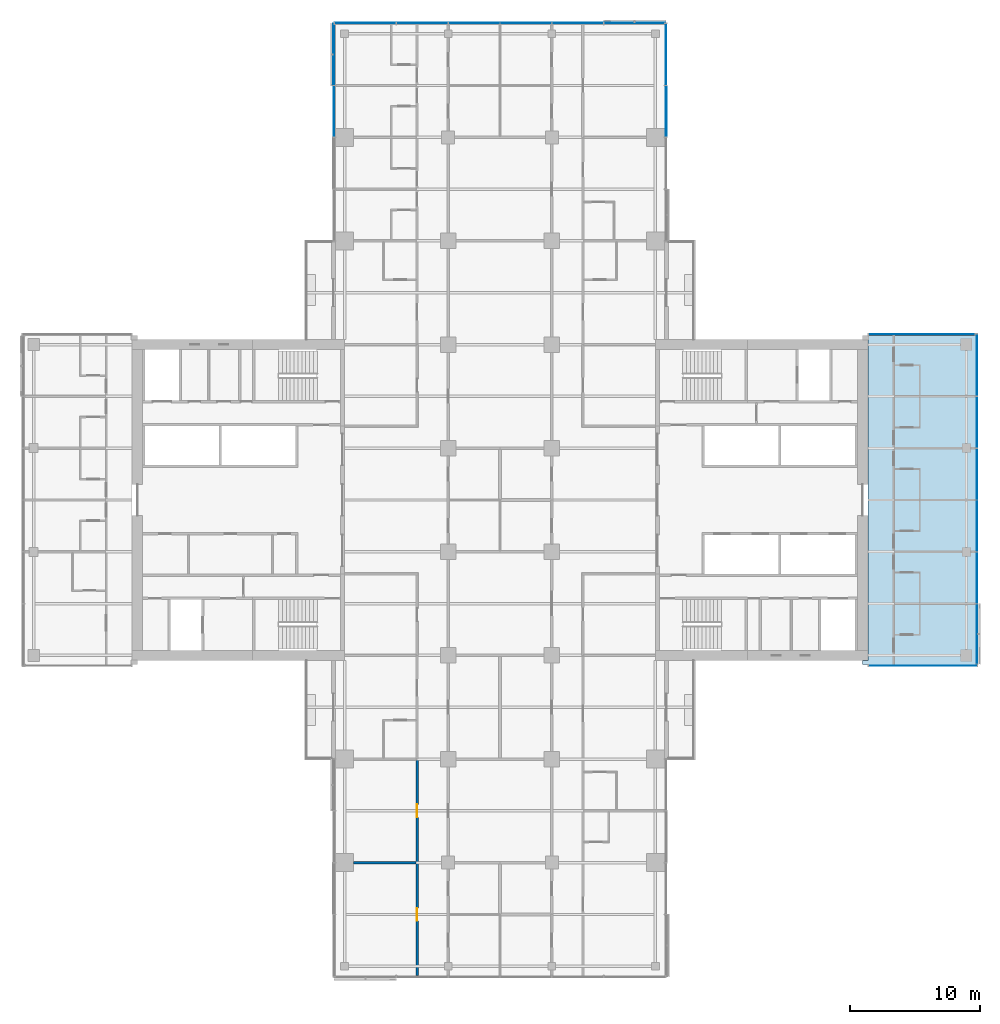
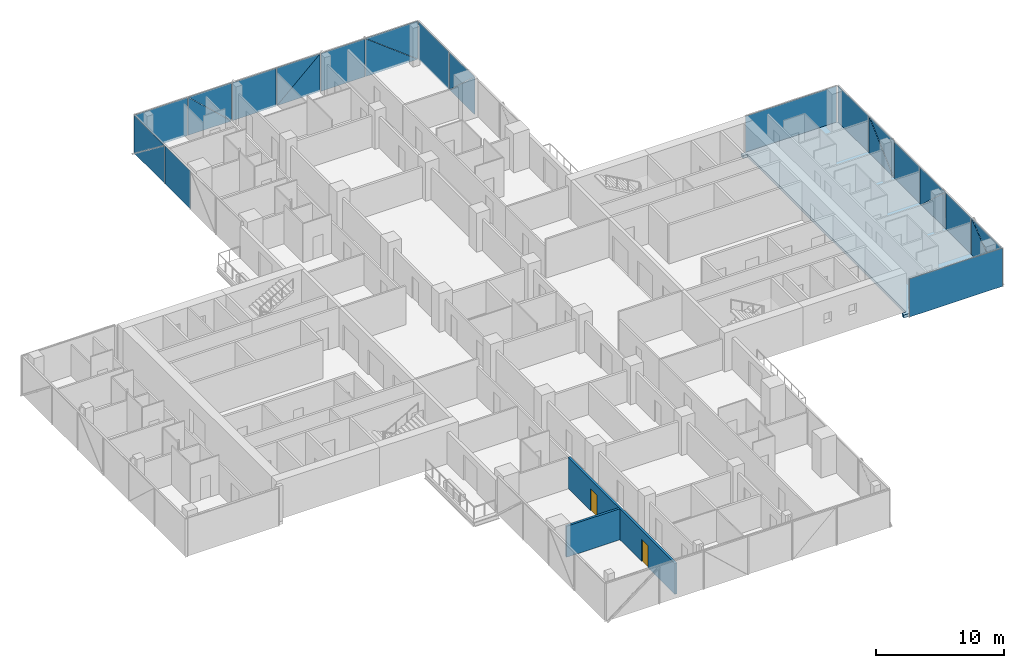
# One storey, part 14 of 27: 26 plates, 2 doors, 2 walls, 1 slab, 2 openings, 6 elements without a shape of their own.
"""IFC4 building model written with IfcOpenShell, lengths in metres."""

from ifc_helpers import new_model, si_unit, direction, frame, frame_2d, origin, place, context, subcontext, project, spatial, polyline, rectangle, outline, extrude, material, layer, layer_set, type_object, element, fill, aggregate, save


model = new_model("IFC4")

# Units and contexts
model_context = context("Model", 3, precision=1e-05, world=origin(), true_north=direction((0.0, 1.0)))
body_context = subcontext(model_context, "Body", "Model", "MODEL_VIEW")
ifc_project = project(units=[si_unit("LENGTHUNIT", "METRE"), si_unit("AREAUNIT", "SQUARE_METRE"), si_unit("VOLUMEUNIT", "CUBIC_METRE"), si_unit("PLANEANGLEUNIT", "RADIAN"), si_unit("MASSUNIT", "GRAM", prefix="KILO")], contexts=[model_context])

# Site, building, storey
site_placement = place(None, origin())
site = spatial("IfcSite", under=ifc_project, at=site_placement, CompositionType="ELEMENT")
building_placement = place(site_placement, origin())
building = spatial("IfcBuilding", under=site, at=building_placement, Name="Crosswind Convention Tower", CompositionType="ELEMENT")
storey_placement = place(building_placement, frame((0.0, 0.0, 86.800048828125)))
storey = spatial("IfcBuildingStorey", under=building, at=storey_placement, Name="L16", CompositionType="ELEMENT", Elevation=86.800048828125)

# Slab
ifc_material_1 = material(Name="Concrete C40/50", Category="concrete")
ifc_layer_1 = layer(ifc_material_1, 0.280029296875)
ifc_layer_set_1 = layer_set([ifc_layer_1], Name="Concrete C40/50")
slab_type = type_object("IfcSlabType", Name="Composite floor slab 280", PredefinedType="FLOOR", material=ifc_layer_set_1)
slab_placement = place(storey_placement, frame((0.0, 0.0, -0.280029296875)))
element("IfcSlab", 1, at=slab_placement, inside=storey, type_object=slab_type, Name="Floor slab L16 part 3", PredefinedType="FLOOR", context=body_context, shape_type="SweptSolid", body=[
    extrude(outline(polyline([(153.0, 112.699951171875), (161.0, 112.699951171875), (161.699951171875, 112.699951171875), (161.699951171875, 112.0), (161.699951171875, 88.0), (161.699951171875, 87.300048828125), (161.0, 87.300048828125), (153.0, 87.300048828125), (153.0, 87.60009765625), (153.39990234375, 87.60009765625), (153.39990234375, 112.39990234375), (153.0, 112.39990234375), (153.0, 112.699951171875)])), origin(), (0.0, 0.0, 1.0), 0.280029296875),
])

# Curtain wall, plate
ifc_material_2 = material(Name="Aluminium unitised curtain wall", Category="aluminium")
curtain_wall_type_1 = type_object("IfcCurtainWallType", Name="CORE END SLOT WALL 160", PredefinedType="USERDEFINED", material=ifc_material_2)
curtain_wall_1_placement = place(storey_placement, origin())
curtain_wall_1 = element("IfcCurtainWall", 2, at=curtain_wall_1_placement, inside=storey, type_object=curtain_wall_type_1, Name="CW6 L16 E-N.1-1 slot", ObjectType="UNITISED", PredefinedType="USERDEFINED")
ifc_material_3 = material(Name="Laminated insulating glass unit", Category="glass")
ifc_layer_2 = layer(ifc_material_3, 0.02587890625)
ifc_layer_set_2 = layer_set([ifc_layer_2], Name="TRIANGULAR GLASS PANEL 26")
plate_type_1 = type_object("IfcPlateType", Name="TRIANGULAR GLASS PANEL 26", PredefinedType="CURTAIN_PANEL", material=ifc_layer_set_2)
plate_1_placement = place(storey_placement, frame((161.64990234375, 112.806640625, -0.280029296875), z_axis=(0.0, 0.999999919464, 0.00040133776), x_axis=(-1.0, 0.0, 0.0)))
plate_1 = element("IfcPlate", 3, at=plate_1_placement, type_object=plate_type_1, Name="CW6 panel 1.1", PredefinedType="CURTAIN_PANEL", context=body_context, shape_type="SweptSolid", body=[
    extrude(outline(polyline([(0.0, 0.0), (8.199951171875, 0.0), (8.199951171875, 3.6499026376985664), (0.0, 3.6499026376985664), (0.0, 0.0)])), origin(), (0.0, 0.0, -1.0), 0.02587890625),
])
aggregate(curtain_wall_1, [plate_1])

curtain_wall_2_placement = place(storey_placement, origin())
curtain_wall_2 = element("IfcCurtainWall", 4, at=curtain_wall_2_placement, inside=storey, type_object=curtain_wall_type_1, Name="CW6 L16 E-S.2-1 slot", ObjectType="UNITISED", PredefinedType="USERDEFINED")
plate_2_placement = place(storey_placement, frame((153.449951171875, 87.193359375, -0.280029296875), z_axis=(0.0, -0.999999919464, 0.00040133776), x_axis=(1.0, 0.0, 0.0)))
plate_2 = element("IfcPlate", 5, at=plate_2_placement, type_object=plate_type_1, Name="CW6 panel 1.1", PredefinedType="CURTAIN_PANEL", context=body_context, shape_type="SweptSolid", body=[
    extrude(outline(polyline([(0.0, 0.0), (8.400146484375, 0.0), (8.400146484375, 3.649902637698567), (0.0, 3.649902637698567), (0.0, 0.0)])), origin(), (0.0, 0.0, -1.0), 0.02587890625),
])
aggregate(curtain_wall_2, [plate_2])

# Curtain wall, plates
curtain_wall_type_2 = type_object("IfcCurtainWallType", Name="HOTEL UNITISED WALL 200", PredefinedType="USERDEFINED", material=ifc_material_2)
curtain_wall_3_placement = place(storey_placement, origin())
curtain_wall_3 = element("IfcCurtainWall", 6, at=curtain_wall_3_placement, inside=storey, type_object=curtain_wall_type_2, Name="CW2 L16 E-TIP 1", ObjectType="UNITISED", PredefinedType="USERDEFINED")
ifc_layer_3 = layer(ifc_material_3, 0.028076171875)
ifc_layer_set_3 = layer_set([ifc_layer_3], Name="TRIANGULAR GLASS PANEL 28")
plate_type_2 = type_object("IfcPlateType", Name="TRIANGULAR GLASS PANEL 28", PredefinedType="CURTAIN_PANEL", material=ifc_layer_set_3)
plate_3_placement = place(storey_placement, frame((161.82861328125, 91.967529296875, -0.280029296875), z_axis=(0.999999943217, 0.0, 0.00033699533), x_axis=(-0.00033699533, 0.0, 0.999999943217)))
plate_3 = element("IfcPlate", 7, at=plate_3_placement, type_object=plate_type_2, Name="CW2 panel 1.1", PredefinedType="CURTAIN_PANEL", context=body_context, shape_type="SweptSolid", body=[
    extrude(outline(polyline([(0.0, 0.0), (3.6223146588106325, 0.0), (0.0, 4.58642578125), (0.0, 0.0)])), origin(), (0.0, 0.0, -1.0), 0.028076171875),
])
plate_4_placement = place(storey_placement, frame((161.857177734375, 87.364990234375, 3.35498046875), z_axis=(0.999999918233, 0.0, 0.000404394386), x_axis=(0.000404394386, 0.0, -0.999999918233)))
plate_4 = element("IfcPlate", 8, at=plate_4_placement, type_object=plate_type_2, Name="CW2 panel 1.2", PredefinedType="CURTAIN_PANEL", context=body_context, shape_type="SweptSolid", body=[
    extrude(outline(polyline([(0.0, 0.0), (3.6223147493123067, 0.0), (0.0, 4.58642578125), (0.0, 0.0)])), origin(), (0.0, 0.0, -1.0), 0.028076171875),
])
plate_5_placement = place(storey_placement, frame((161.82861328125, 92.032470703125, -0.280029296875), z_axis=(0.999999943613, 0.0, 0.00033581837), x_axis=(0.0, 1.0, 0.0)))
plate_5 = element("IfcPlate", 9, at=plate_5_placement, type_object=plate_type_2, Name="CW2 panel 2.1", PredefinedType="CURTAIN_PANEL", context=body_context, shape_type="SweptSolid", body=[
    extrude(outline(polyline([(0.0, 0.0), (3.93505859375, 0.0), (3.93505859375, 3.635009970592273), (0.0, 3.635009970592273), (0.0, 0.0)])), origin(), (0.0, 0.0, -1.0), 0.028076171875),
])
plate_6_placement = place(storey_placement, frame((161.827392578125, 99.967529296875, 3.35498046875), z_axis=(0.999999943186, 0.0, 0.000337086208), x_axis=(0.0, -1.0, 0.0)))
plate_6 = element("IfcPlate", 10, at=plate_6_placement, type_object=plate_type_2, Name="CW2 panel 3.1", PredefinedType="CURTAIN_PANEL", context=body_context, shape_type="SweptSolid", body=[
    extrude(outline(polyline([(0.0, 0.0), (3.92041015625, 0.0), (0.0, 3.6213380963660997), (0.0, 0.0)])), origin(), (0.0, 0.0, -1.0), 0.028076171875),
])
plate_7_placement = place(storey_placement, frame((161.858642578125, 96.032470703125, -0.280029296875), z_axis=(0.999999918188, 0.0, 0.000404503439), x_axis=(0.0, 1.0, 0.0)))
plate_7 = element("IfcPlate", 11, at=plate_7_placement, type_object=plate_type_2, Name="CW2 panel 3.2", PredefinedType="CURTAIN_PANEL", context=body_context, shape_type="SweptSolid", body=[
    extrude(outline(polyline([(0.0, 0.0), (3.92041015625, 0.0), (0.0, 3.6213381868921792), (0.0, 0.0)])), origin(), (0.0, 0.0, -1.0), 0.028076171875),
])
plate_8_placement = place(storey_placement, frame((161.82861328125, 100.032470703125, -0.280029296875), z_axis=(0.999999943613, 0.0, 0.00033581837), x_axis=(0.0, 1.0, 0.0)))
plate_8 = element("IfcPlate", 12, at=plate_8_placement, type_object=plate_type_2, Name="CW2 panel 4.1", PredefinedType="CURTAIN_PANEL", context=body_context, shape_type="SweptSolid", body=[
    extrude(outline(polyline([(0.0, 0.0), (3.93505859375, 0.0), (3.93505859375, 3.635009970592273), (0.0, 3.635009970592273), (0.0, 0.0)])), origin(), (0.0, 0.0, -1.0), 0.028076171875),
])
plate_9_placement = place(storey_placement, frame((161.82861328125, 107.967529296875, -0.280029296875), z_axis=(0.999999943186, 0.0, 0.000337086208), x_axis=(-0.000337086208, 0.0, 0.999999943186)))
plate_9 = element("IfcPlate", 13, at=plate_9_placement, type_object=plate_type_2, Name="CW2 panel 5.1", PredefinedType="CURTAIN_PANEL", context=body_context, shape_type="SweptSolid", body=[
    extrude(outline(polyline([(0.0, 0.0), (3.6213380963660997, 0.0), (0.0, 3.920410156250001), (0.0, 0.0)])), origin(), (0.0, 0.0, -1.0), 0.028076171875),
])
plate_10_placement = place(storey_placement, frame((161.857177734375, 104.032470703125, 3.35498046875), z_axis=(0.999999918188, 0.0, 0.000404503439), x_axis=(0.000404503439, 0.0, -0.999999918188)))
plate_10 = element("IfcPlate", 14, at=plate_10_placement, type_object=plate_type_2, Name="CW2 panel 5.2", PredefinedType="CURTAIN_PANEL", context=body_context, shape_type="SweptSolid", body=[
    extrude(outline(polyline([(0.0, 0.0), (3.6213381868921797, 0.0), (0.0, 3.92041015625), (0.0, 0.0)])), origin(), (0.0, 0.0, -1.0), 0.028076171875),
])
plate_11_placement = place(storey_placement, frame((161.82861328125, 108.032470703125, -0.280029296875), z_axis=(0.999999943613, 0.0, 0.00033581837), x_axis=(0.0, 1.0, 0.0)))
plate_11 = element("IfcPlate", 15, at=plate_11_placement, type_object=plate_type_2, Name="CW2 panel 6.1", PredefinedType="CURTAIN_PANEL", context=body_context, shape_type="SweptSolid", body=[
    extrude(outline(polyline([(0.0, 0.0), (4.762451171875, 0.0), (4.762451171875, 3.635009970592273), (0.0, 3.635009970592273), (0.0, 0.0)])), origin(), (0.0, 0.0, -1.0), 0.028076171875),
])
aggregate(curtain_wall_3, [plate_3, plate_4, plate_5, plate_6, plate_7, plate_8, plate_9, plate_10, plate_11])

curtain_wall_4_placement = place(storey_placement, origin())
curtain_wall_4 = element("IfcCurtainWall", 16, at=curtain_wall_4_placement, inside=storey, type_object=curtain_wall_type_2, Name="CW2 L16 N-E 1", ObjectType="UNITISED", PredefinedType="USERDEFINED")
plate_12_placement = place(storey_placement, frame((137.827392578125, 131.967529296875, 3.35498046875), z_axis=(0.999999943186, 0.0, 0.000337086208), x_axis=(0.0, -1.0, 0.0)))
plate_12 = element("IfcPlate", 17, at=plate_12_placement, type_object=plate_type_2, Name="CW2 panel 3.1", PredefinedType="CURTAIN_PANEL", context=body_context, shape_type="SweptSolid", body=[
    extrude(outline(polyline([(0.0, 0.0), (3.92041015625, 0.0), (0.0, 3.6213380963660997), (0.0, 0.0)])), origin(), (0.0, 0.0, -1.0), 0.028076171875),
])
plate_13_placement = place(storey_placement, frame((137.858642578125, 128.032470703125, -0.280029296875), z_axis=(0.999999918188, 0.0, 0.000404503439), x_axis=(0.0, 1.0, 0.0)))
plate_13 = element("IfcPlate", 18, at=plate_13_placement, type_object=plate_type_2, Name="CW2 panel 3.2", PredefinedType="CURTAIN_PANEL", context=body_context, shape_type="SweptSolid", body=[
    extrude(outline(polyline([(0.0, 0.0), (3.92041015625, 0.0), (0.0, 3.6213381868921792), (0.0, 0.0)])), origin(), (0.0, 0.0, -1.0), 0.028076171875),
])
plate_14_placement = place(storey_placement, frame((137.82861328125, 132.032470703125, -0.280029296875), z_axis=(0.999999943613, 0.0, 0.00033581837), x_axis=(0.0, 1.0, 0.0)))
plate_14 = element("IfcPlate", 19, at=plate_14_placement, type_object=plate_type_2, Name="CW2 panel 4.1", PredefinedType="CURTAIN_PANEL", context=body_context, shape_type="SweptSolid", body=[
    extrude(outline(polyline([(0.0, 0.0), (4.735107421875, 0.0), (4.735107421875, 3.6350099705922725), (0.0, 3.6350099705922725), (0.0, 0.0)])), origin(), (0.0, 0.0, -1.0), 0.028076171875),
])
aggregate(curtain_wall_4, [plate_12, plate_13, plate_14])

curtain_wall_5_placement = place(storey_placement, origin())
curtain_wall_5 = element("IfcCurtainWall", 20, at=curtain_wall_5_placement, inside=storey, type_object=curtain_wall_type_2, Name="CW2 L16 N-TIP 1", ObjectType="UNITISED", PredefinedType="USERDEFINED")
plate_15_placement = place(storey_placement, frame((133.032470703125, 136.82861328125, -0.280029296875), z_axis=(0.0, 0.999999943217, 0.00033699533), x_axis=(0.0, -0.00033699533, 0.999999943217)))
plate_15 = element("IfcPlate", 21, at=plate_15_placement, type_object=plate_type_2, Name="CW2 panel 1.1", PredefinedType="CURTAIN_PANEL", context=body_context, shape_type="SweptSolid", body=[
    extrude(outline(polyline([(0.0, 0.0), (3.6223146588106325, 0.0), (0.0, 4.718505859374999), (0.0, 0.0)])), origin(), (0.0, 0.0, -1.0), 0.028076171875),
])
plate_16_placement = place(storey_placement, frame((137.767578125, 136.857177734375, 3.35498046875), z_axis=(0.0, 0.999999918233, 0.000404394386), x_axis=(0.0, 0.000404394386, -0.999999918233)))
plate_16 = element("IfcPlate", 22, at=plate_16_placement, type_object=plate_type_2, Name="CW2 panel 1.2", PredefinedType="CURTAIN_PANEL", context=body_context, shape_type="SweptSolid", body=[
    extrude(outline(polyline([(0.0, 0.0), (3.6223147493123067, 0.0), (0.0, 4.71875), (0.0, 0.0)])), origin(), (0.0, 0.0, -1.0), 0.028076171875),
])
plate_17_placement = place(storey_placement, frame((132.967529296875, 136.82861328125, -0.280029296875), z_axis=(0.0, 0.999999943613, 0.00033581837), x_axis=(-1.0, 0.0, 0.0)))
plate_17 = element("IfcPlate", 23, at=plate_17_placement, type_object=plate_type_2, Name="CW2 panel 2.1", PredefinedType="CURTAIN_PANEL", context=body_context, shape_type="SweptSolid", body=[
    extrude(outline(polyline([(0.0, 0.0), (3.93505859375, 0.0), (3.93505859375, 3.635009970592273), (0.0, 3.635009970592273), (0.0, 0.0)])), origin(), (0.0, 0.0, -1.0), 0.028076171875),
])
plate_18_placement = place(storey_placement, frame((125.032470703125, 136.827392578125, 3.35498046875), z_axis=(0.0, 0.999999943186, 0.000337086208), x_axis=(1.0, 0.0, 0.0)))
plate_18 = element("IfcPlate", 24, at=plate_18_placement, type_object=plate_type_2, Name="CW2 panel 3.1", PredefinedType="CURTAIN_PANEL", context=body_context, shape_type="SweptSolid", body=[
    extrude(outline(polyline([(0.0, 0.0), (3.92041015625, 0.0), (0.0, 3.6213380963660997), (0.0, 0.0)])), origin(), (0.0, 0.0, -1.0), 0.028076171875),
])
plate_19_placement = place(storey_placement, frame((128.967529296875, 136.858642578125, -0.280029296875), z_axis=(0.0, 0.999999918188, 0.000404503439), x_axis=(-1.0, 0.0, 0.0)))
plate_19 = element("IfcPlate", 25, at=plate_19_placement, type_object=plate_type_2, Name="CW2 panel 3.2", PredefinedType="CURTAIN_PANEL", context=body_context, shape_type="SweptSolid", body=[
    extrude(outline(polyline([(0.0, 0.0), (3.92041015625, 0.0), (0.0, 3.6213381868921792), (0.0, 0.0)])), origin(), (0.0, 0.0, -1.0), 0.028076171875),
])
plate_20_placement = place(storey_placement, frame((124.967529296875, 136.82861328125, -0.280029296875), z_axis=(0.0, 0.999999943613, 0.00033581837), x_axis=(-1.0, 0.0, 0.0)))
plate_20 = element("IfcPlate", 26, at=plate_20_placement, type_object=plate_type_2, Name="CW2 panel 4.1", PredefinedType="CURTAIN_PANEL", context=body_context, shape_type="SweptSolid", body=[
    extrude(outline(polyline([(0.0, 0.0), (3.93505859375, 0.0), (3.93505859375, 3.635009970592273), (0.0, 3.635009970592273), (0.0, 0.0)])), origin(), (0.0, 0.0, -1.0), 0.028076171875),
])
plate_21_placement = place(storey_placement, frame((117.032470703125, 136.82861328125, -0.280029296875), z_axis=(0.0, 0.999999943186, 0.000337086208), x_axis=(0.0, -0.000337086208, 0.999999943186)))
plate_21 = element("IfcPlate", 27, at=plate_21_placement, type_object=plate_type_2, Name="CW2 panel 5.1", PredefinedType="CURTAIN_PANEL", context=body_context, shape_type="SweptSolid", body=[
    extrude(outline(polyline([(0.0, 0.0), (3.6213380963660997, 0.0), (0.0, 3.920410156250001), (0.0, 0.0)])), origin(), (0.0, 0.0, -1.0), 0.028076171875),
])
plate_22_placement = place(storey_placement, frame((120.967529296875, 136.857177734375, 3.35498046875), z_axis=(0.0, 0.999999918188, 0.000404503439), x_axis=(0.0, 0.000404503439, -0.999999918188)))
plate_22 = element("IfcPlate", 28, at=plate_22_placement, type_object=plate_type_2, Name="CW2 panel 5.2", PredefinedType="CURTAIN_PANEL", context=body_context, shape_type="SweptSolid", body=[
    extrude(outline(polyline([(0.0, 0.0), (3.6213381868921797, 0.0), (0.0, 3.92041015625), (0.0, 0.0)])), origin(), (0.0, 0.0, -1.0), 0.028076171875),
])
plate_23_placement = place(storey_placement, frame((116.967529296875, 136.82861328125, -0.280029296875), z_axis=(0.0, 0.999999943613, 0.00033581837), x_axis=(-1.0, 0.0, 0.0)))
plate_23 = element("IfcPlate", 29, at=plate_23_placement, type_object=plate_type_2, Name="CW2 panel 6.1", PredefinedType="CURTAIN_PANEL", context=body_context, shape_type="SweptSolid", body=[
    extrude(outline(polyline([(0.0, 0.0), (4.735107421875, 0.0), (4.735107421875, 3.6350099705922725), (0.0, 3.6350099705922725), (0.0, 0.0)])), origin(), (0.0, 0.0, -1.0), 0.028076171875),
])
aggregate(curtain_wall_5, [plate_15, plate_16, plate_17, plate_18, plate_19, plate_20, plate_21, plate_22, plate_23])

curtain_wall_6_placement = place(storey_placement, origin())
curtain_wall_6 = element("IfcCurtainWall", 30, at=curtain_wall_6_placement, inside=storey, type_object=curtain_wall_type_2, Name="CW2 L16 N-W 1", ObjectType="UNITISED", PredefinedType="USERDEFINED")
plate_24_placement = place(storey_placement, frame((112.17138671875, 132.032470703125, -0.280029296875), z_axis=(-0.999999943217, 0.0, 0.00033699533), x_axis=(0.00033699533, 0.0, 0.999999943217)))
plate_24 = element("IfcPlate", 31, at=plate_24_placement, type_object=plate_type_2, Name="CW2 panel 1.1", PredefinedType="CURTAIN_PANEL", context=body_context, shape_type="SweptSolid", body=[
    extrude(outline(polyline([(0.0, 0.0), (3.6223146588106325, 0.0), (0.0, 4.718505859374999), (0.0, 0.0)])), origin(), (0.0, 0.0, -1.0), 0.028076171875),
])
plate_25_placement = place(storey_placement, frame((112.142822265625, 136.767578125, 3.35498046875), z_axis=(-0.999999918233, 0.0, 0.000404394386), x_axis=(-0.000404394386, 0.0, -0.999999918233)))
plate_25 = element("IfcPlate", 32, at=plate_25_placement, type_object=plate_type_2, Name="CW2 panel 1.2", PredefinedType="CURTAIN_PANEL", context=body_context, shape_type="SweptSolid", body=[
    extrude(outline(polyline([(0.0, 0.0), (3.6223147493123067, 0.0), (0.0, 4.71875), (0.0, 0.0)])), origin(), (0.0, 0.0, -1.0), 0.028076171875),
])
plate_26_placement = place(storey_placement, frame((112.17138671875, 131.967529296875, -0.280029296875), z_axis=(-0.999999943613, 0.0, 0.00033581837), x_axis=(0.0, -1.0, 0.0)))
plate_26 = element("IfcPlate", 33, at=plate_26_placement, type_object=plate_type_2, Name="CW2 panel 2.1", PredefinedType="CURTAIN_PANEL", context=body_context, shape_type="SweptSolid", body=[
    extrude(outline(polyline([(0.0, 0.0), (3.93505859375, 0.0), (3.93505859375, 3.635009970592273), (0.0, 3.635009970592273), (0.0, 0.0)])), origin(), (0.0, 0.0, -1.0), 0.028076171875),
])
aggregate(curtain_wall_6, [plate_24, plate_25, plate_26])

# Wall
ifc_material_4 = material(Name="Double plasterboard partition", Category="gypsum")
ifc_layer_4 = layer(ifc_material_4, 0.199951171875)
ifc_layer_set_4 = layer_set([ifc_layer_4], Name="HALL WALL 200")
wall_type = type_object("IfcWallType", Name="HALL WALL 200", PredefinedType="PARTITIONING", material=ifc_layer_set_4)
wall_1_placement = place(storey_placement, frame((113.699951171875, 72.0, 0.0), z_axis=(0.0, 0.0, 1.0), x_axis=(1.0, 0.0, 0.0)))
element("IfcWall", 34, at=wall_1_placement, inside=storey, type_object=wall_type, Name="Hall Wall 3", PredefinedType="PARTITIONING", context=body_context, shape_type="SweptSolid", body=[
    extrude(rectangle(XDim=4.800048828125, YDim=0.199951171875, at=frame_2d((2.39990234375, 0.0))), origin(), (0.0, 0.0, 1.0), 2.959716796875),
])

# Wall, openings, doors
wall_2_placement = place(storey_placement, frame((118.60009765625, 63.300048828125, 0.0), z_axis=(0.0, 0.0, 1.0), x_axis=(0.0, 1.0, 0.0)))
wall_2 = element("IfcWall", 35, at=wall_2_placement, inside=storey, type_object=wall_type, Name="Hall Wall 78", PredefinedType="PARTITIONING", context=body_context, shape_type="SweptSolid", body=[
    extrude(rectangle(XDim=16.699951171875, YDim=0.199951171875, at=frame_2d((8.35009765625, 0.0))), origin(), (0.0, 0.0, 1.0), 2.959716796875),
])
opening_1_placement = place(wall_2_placement, frame((12.199951171875, 0.0, 0.0)))
opening_1 = element("IfcOpeningElement", 36, at=opening_1_placement, cuts=wall_2, Name="Opening 16.026", PredefinedType="OPENING", context=body_context, shape_type="SweptSolid", body=[
    extrude(rectangle(XDim=1.0, YDim=2.10009765625, at=frame_2d((0.5, 1.050048828125))), frame((0.0, 0.10986328125, 0.0), z_axis=(0.0, -1.0, 0.0), x_axis=(1.0, 0.0, 0.0)), (0.0, 0.0, 1.0), 0.219970703125),
])
opening_2_placement = place(wall_2_placement, frame((4.199951171875, 0.0, 0.0)))
opening_2 = element("IfcOpeningElement", 37, at=opening_2_placement, cuts=wall_2, Name="Opening 16.027", PredefinedType="OPENING", context=body_context, shape_type="SweptSolid", body=[
    extrude(rectangle(XDim=1.0, YDim=2.10009765625, at=frame_2d((0.5, 1.050048828125))), frame((0.0, 0.10986328125, 0.0), z_axis=(0.0, -1.0, 0.0), x_axis=(1.0, 0.0, 0.0)), (0.0, 0.0, 1.0), 0.219970703125),
])
ifc_material_5 = material(Name="Timber fire door", Category="wood")
door_type = type_object("IfcDoorType", Name="MEETING ROOM DOOR 1000X2100", OperationType="NOTDEFINED", PredefinedType="DOOR", material=ifc_material_5)
door_1_placement = place(opening_1_placement, frame((1.0, 0.0, 0.0), z_axis=(0.0, 0.0, 1.0), x_axis=(-1.0, 0.0, 0.0)))
door_1 = element("IfcDoor", 38, at=door_1_placement, inside=storey, type_object=door_type, Name="Door 16.026", ObjectType="D13", OperationType="SINGLE_SWING_LEFT", OverallHeight=2.10009765625, OverallWidth=1.0, PredefinedType="DOOR", context=body_context, shape_type="SweptSolid", body=[
    extrude(rectangle(XDim=1.0, YDim=2.10009765625, at=frame_2d((0.5, 1.050048828125))), frame((0.0, 0.02490234375, 0.0), z_axis=(0.0, -1.0, 0.0), x_axis=(1.0, 0.0, 0.0)), (0.0, 0.0, 1.0), 0.050048828125),
])
fill(opening_1, door_1)
door_2_placement = place(opening_2_placement, frame((1.0, 0.0, 0.0), z_axis=(0.0, 0.0, 1.0), x_axis=(-1.0, 0.0, 0.0)))
door_2 = element("IfcDoor", 39, at=door_2_placement, inside=storey, type_object=door_type, Name="Door 16.027", ObjectType="D13", OperationType="SINGLE_SWING_RIGHT", OverallHeight=2.10009765625, OverallWidth=1.0, PredefinedType="DOOR", context=body_context, shape_type="SweptSolid", body=[
    extrude(rectangle(XDim=1.0, YDim=2.10009765625, at=frame_2d((0.5, 1.050048828125))), frame((0.0, 0.02490234375, 0.0), z_axis=(0.0, -1.0, 0.0), x_axis=(1.0, 0.0, 0.0)), (0.0, 0.0, 1.0), 0.050048828125),
])
fill(opening_2, door_2)

save(model, "model.ifc")
